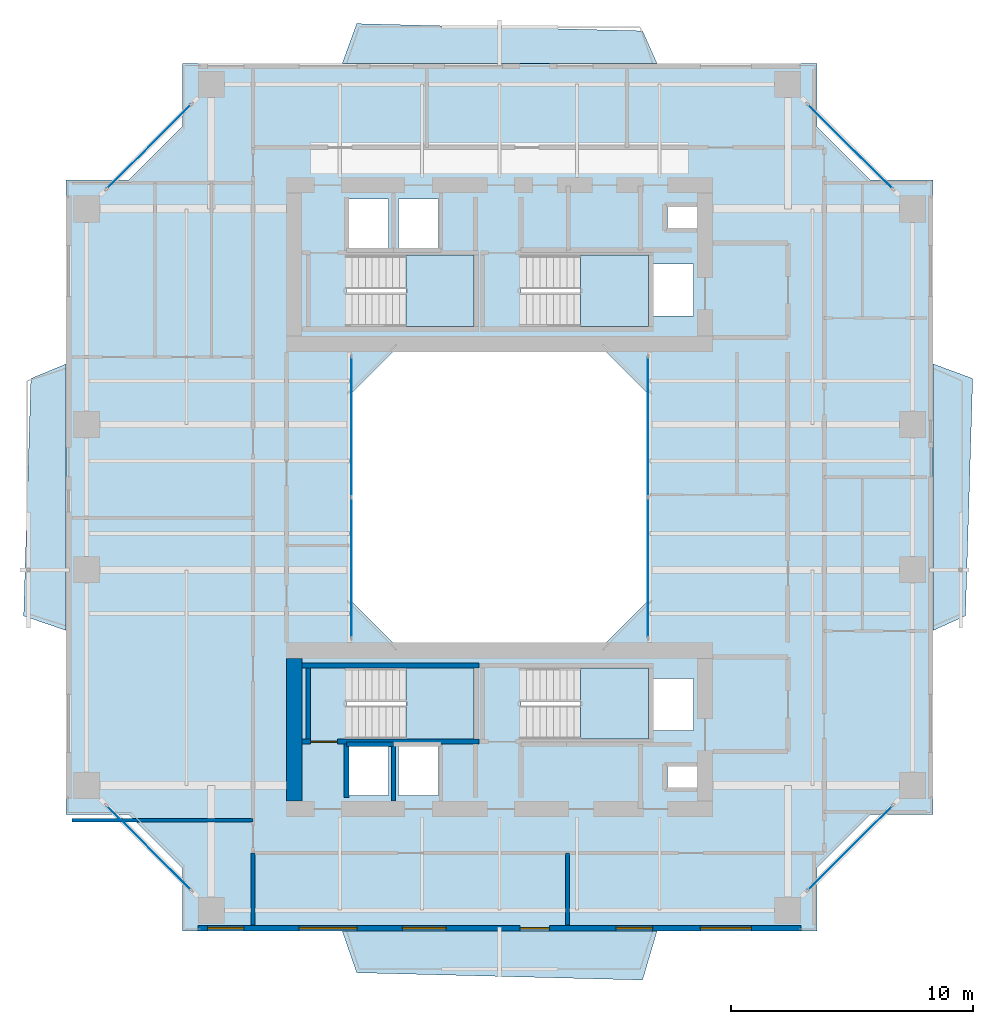
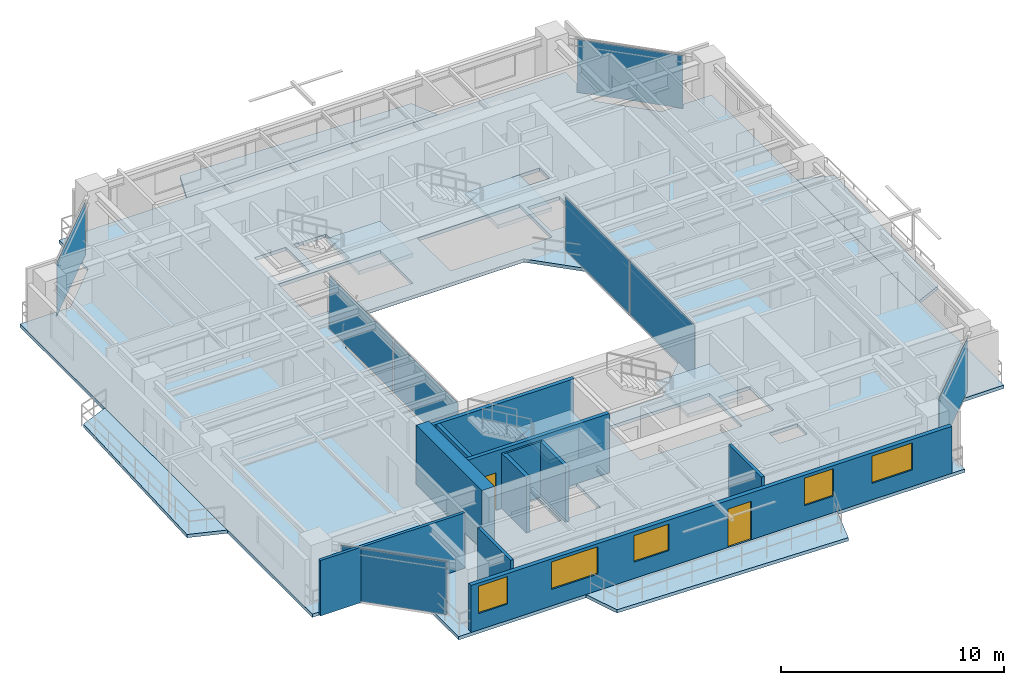
# One storey, part 9 of 16: 11 walls, 9 slabs, 8 plates, 5 windows, 2 doors, 7 openings, 10 elements without a shape of their own.
"""IFC4 building model written with IfcOpenShell, lengths in metres."""

from ifc_helpers import new_model, si_unit, direction, frame, frame_2d, origin, origin_2d, place, context, subcontext, project, spatial, polyline, rectangle, outline, extrude, source, transform, mapped, material, layer, layer_set, type_object, element, fill, aggregate, save


model = new_model("IFC4")

# Units and contexts
model_context = context("Model", 3, precision=1e-05, world=origin(), true_north=direction((0.0, 1.0)))
body_context = subcontext(model_context, "Body", "Model", "MODEL_VIEW")
ifc_project = project(units=[si_unit("LENGTHUNIT", "METRE"), si_unit("AREAUNIT", "SQUARE_METRE"), si_unit("VOLUMEUNIT", "CUBIC_METRE"), si_unit("PLANEANGLEUNIT", "RADIAN"), si_unit("MASSUNIT", "GRAM", prefix="KILO"), si_unit("THERMODYNAMICTEMPERATUREUNIT", "KELVIN"), si_unit("POWERUNIT", "WATT")], contexts=[model_context])

# Site, building, storey
site_placement = place(None, origin())
site = spatial("IfcSite", under=ifc_project, at=site_placement, CompositionType="ELEMENT")
building_placement = place(site_placement, origin())
building = spatial("IfcBuilding", under=site, at=building_placement, Name="Qiaomeng Ring Towers", CompositionType="ELEMENT")
storey_placement = place(building_placement, frame((0.0, 0.0, 136.0)))
storey = spatial("IfcBuildingStorey", under=building, at=storey_placement, Name="L39", CompositionType="ELEMENT", Elevation=136.0)

# Slabs
ifc_material_1 = material(Name="Concrete C40", Category="concrete")
ifc_layer_1 = layer(ifc_material_1, 0.179931640625, Name="Concrete C40")
ifc_layer_set_1 = layer_set([ifc_layer_1], Name="Concrete C40")
slab_type_1 = type_object("IfcSlabType", Name="STR-SL-180", PredefinedType="FLOOR", material=ifc_layer_set_1)
slab_1_placement = place(storey_placement, frame((0.0, 0.0, -0.179931640625)))
element("IfcSlab", 1, at=slab_1_placement, inside=storey, type_object=slab_type_1, Name="L39 Tower 1 Annular Floor Slab", PredefinedType="FLOOR", context=body_context, shape_type="SweptSolid", body=[
    extrude(outline(polyline([(5.89990234375, 5.10009765625), (32.10009765625, 5.10009765625), (32.10009765625, 7.699951171875), (34.300048828125, 9.89990234375), (36.89990234375, 9.89990234375), (36.89990234375, 36.10009765625), (34.300048828125, 36.10009765625), (32.10009765625, 38.300048828125), (32.10009765625, 40.89990234375), (5.89990234375, 40.89990234375), (5.89990234375, 38.300048828125), (3.699951171875, 36.10009765625), (1.10009765625, 36.10009765625), (1.10009765625, 9.89990234375), (3.699951171875, 9.89990234375), (5.89990234375, 7.699951171875), (5.89990234375, 5.10009765625)]), holes=[polyline([(12.780029296875, 10.679931640625), (12.780029296875, 12.820068359375), (14.419921875, 12.820068359375), (14.419921875, 10.679931640625), (12.780029296875, 10.679931640625)]), polyline([(14.830078125, 12.820068359375), (16.469970703125, 12.820068359375), (16.469970703125, 10.679931640625), (14.830078125, 10.679931640625), (14.830078125, 12.820068359375)]), polyline([(12.679931640625, 15.949951171875), (17.949951171875, 15.949951171875), (17.949951171875, 13.010009765625), (12.679931640625, 13.010009765625), (12.679931640625, 15.949951171875)]), polyline([(23.199951171875, 29.199951171875), (25.199951171875, 27.199951171875), (25.199951171875, 18.800048828125), (23.199951171875, 16.800048828125), (14.800048828125, 16.800048828125), (12.800048828125, 18.800048828125), (12.800048828125, 27.199951171875), (14.800048828125, 29.199951171875), (23.199951171875, 29.199951171875)]), polyline([(12.679931640625, 32.989990234375), (17.949951171875, 32.989990234375), (17.949951171875, 30.050048828125), (12.679931640625, 30.050048828125), (12.679931640625, 32.989990234375)]), polyline([(12.780029296875, 35.320068359375), (14.419921875, 35.320068359375), (14.419921875, 33.179931640625), (12.780029296875, 33.179931640625), (12.780029296875, 35.320068359375)]), polyline([(14.830078125, 33.179931640625), (14.830078125, 35.320068359375), (16.469970703125, 35.320068359375), (16.469970703125, 33.179931640625), (14.830078125, 33.179931640625)]), polyline([(25.919921875, 11.89990234375), (27.360107421875, 11.89990234375), (27.360107421875, 11.0), (25.919921875, 11.0), (25.919921875, 11.89990234375)]), polyline([(25.360107421875, 15.52001953125), (27.0, 15.52001953125), (27.0, 13.3798828125), (25.360107421875, 13.3798828125), (25.360107421875, 15.52001953125)]), polyline([(19.8798828125, 15.949951171875), (25.14990234375, 15.949951171875), (25.14990234375, 13.010009765625), (19.8798828125, 13.010009765625), (19.8798828125, 15.949951171875)]), polyline([(19.8798828125, 32.989990234375), (25.14990234375, 32.989990234375), (25.14990234375, 30.050048828125), (19.8798828125, 30.050048828125), (19.8798828125, 32.989990234375)]), polyline([(25.360107421875, 32.6201171875), (27.0, 32.6201171875), (27.0, 30.47998046875), (25.360107421875, 30.47998046875), (25.360107421875, 32.6201171875)]), polyline([(25.919921875, 35.0), (27.360107421875, 35.0), (27.360107421875, 34.10009765625), (25.919921875, 34.10009765625), (25.919921875, 35.0)])]), origin(), (0.0, 0.0, 1.0), 0.179931640625),
])
ifc_layer_2 = layer(ifc_material_1, 0.179931640625, Name="Concrete C40")
ifc_layer_set_2 = layer_set([ifc_layer_2], Name="Concrete C40")
slab_type_2 = type_object("IfcSlabType", Name="STR-SL-BAL", PredefinedType="FLOOR", material=ifc_layer_set_2)
slab_2_placement = place(storey_placement, frame((0.0, 0.0, -0.179931640625)))
element("IfcSlab", 2, at=slab_2_placement, inside=storey, type_object=slab_type_2, Name="L39 Tower 1 S Faceted Balcony Slab", PredefinedType="FLOOR", context=body_context, shape_type="SweptSolid", body=[
    extrude(outline(polyline([(24.89990234375, 3.070068359375), (13.10009765625, 3.3701171875), (12.5, 5.10009765625), (25.5, 5.10009765625), (24.89990234375, 3.070068359375)])), origin(), (0.0, 0.0, 1.0), 0.179931640625),
])
slab_3_placement = place(storey_placement, frame((0.0, 0.0, -0.179931640625)))
element("IfcSlab", 3, at=slab_3_placement, inside=storey, type_object=slab_type_2, Name="L39 Tower 1 E Faceted Balcony Slab", PredefinedType="FLOOR", context=body_context, shape_type="SweptSolid", body=[
    extrude(outline(polyline([(38.530029296875, 27.89990234375), (38.22998046875, 18.10009765625), (36.89990234375, 17.5), (36.89990234375, 28.5), (38.530029296875, 27.89990234375)])), origin(), (0.0, 0.0, 1.0), 0.179931640625),
])
slab_4_placement = place(storey_placement, frame((0.0, 0.0, -0.179931640625)))
element("IfcSlab", 4, at=slab_4_placement, inside=storey, type_object=slab_type_2, Name="L39 Tower 1 N Faceted Balcony Slab", PredefinedType="FLOOR", context=body_context, shape_type="SweptSolid", body=[
    extrude(outline(polyline([(12.5, 40.89990234375), (13.10009765625, 42.550048828125), (24.89990234375, 42.25), (25.5, 40.89990234375), (12.5, 40.89990234375)])), origin(), (0.0, 0.0, 1.0), 0.179931640625),
])
slab_5_placement = place(storey_placement, frame((0.0, 0.0, -0.179931640625)))
element("IfcSlab", 5, at=slab_5_placement, inside=storey, type_object=slab_type_2, Name="L39 Tower 1 W Faceted Balcony Slab", PredefinedType="FLOOR", context=body_context, shape_type="SweptSolid", body=[
    extrude(outline(polyline([(-0.64990234375, 18.10009765625), (-0.35009765625, 27.89990234375), (1.10009765625, 28.5), (1.10009765625, 17.5), (-0.64990234375, 18.10009765625)])), origin(), (0.0, 0.0, 1.0), 0.179931640625),
])

# Stair, slab
ifc_material_2 = material(Name="Precast concrete C40", Category="concrete")
stair_type = type_object("IfcStairType", Name="ARC-ST-325", PredefinedType="HALF_TURN_STAIR", material=ifc_material_2)
stair_1_placement = place(storey_placement, origin())
stair_1 = element("IfcStair", 6, at=stair_1_placement, inside=storey, type_object=stair_type, Name="L39 Tower 1 North Stair 1", PredefinedType="HALF_TURN_STAIR")
ifc_layer_3 = layer(ifc_material_1, 0.199951171875, Name="Concrete C40")
ifc_layer_set_3 = layer_set([ifc_layer_3], Name="Concrete C40")
slab_type_3 = type_object("IfcSlabType", Name="STR-SL-LANDING", PredefinedType="LANDING", material=ifc_layer_set_3)
slab_6_placement = place(storey_placement, frame((0.0, 0.0, 1.425048828125)))
slab_6 = element("IfcSlab", 7, at=slab_6_placement, type_object=slab_type_3, Name="ST1 landing 1", PredefinedType="LANDING", context=body_context, shape_type="SweptSolid", body=[
    extrude(outline(polyline([(15.139892578125, 30.050048828125), (17.949951171875, 30.050048828125), (17.949951171875, 32.989990234375), (15.139892578125, 32.989990234375), (15.139892578125, 30.050048828125)])), origin(), (0.0, 0.0, 1.0), 0.199951171875),
])
aggregate(stair_1, [slab_6])

stair_2_placement = place(storey_placement, origin())
stair_2 = element("IfcStair", 8, at=stair_2_placement, inside=storey, type_object=stair_type, Name="L39 Tower 1 North Stair 2", PredefinedType="HALF_TURN_STAIR")
slab_7_placement = place(storey_placement, frame((0.0, 0.0, 1.425048828125)))
slab_7 = element("IfcSlab", 9, at=slab_7_placement, type_object=slab_type_3, Name="ST2 landing 1", PredefinedType="LANDING", context=body_context, shape_type="SweptSolid", body=[
    extrude(outline(polyline([(22.340087890625, 30.050048828125), (25.14990234375, 30.050048828125), (25.14990234375, 32.989990234375), (22.340087890625, 32.989990234375), (22.340087890625, 30.050048828125)])), origin(), (0.0, 0.0, 1.0), 0.199951171875),
])
aggregate(stair_2, [slab_7])

stair_3_placement = place(storey_placement, origin())
stair_3 = element("IfcStair", 10, at=stair_3_placement, inside=storey, type_object=stair_type, Name="L39 Tower 1 South Stair 3", PredefinedType="HALF_TURN_STAIR")
slab_8_placement = place(storey_placement, frame((0.0, 0.0, 1.425048828125)))
slab_8 = element("IfcSlab", 11, at=slab_8_placement, type_object=slab_type_3, Name="ST3 landing 1", PredefinedType="LANDING", context=body_context, shape_type="SweptSolid", body=[
    extrude(outline(polyline([(15.139892578125, 13.010009765625), (17.949951171875, 13.010009765625), (17.949951171875, 15.949951171875), (15.139892578125, 15.949951171875), (15.139892578125, 13.010009765625)])), origin(), (0.0, 0.0, 1.0), 0.199951171875),
])
aggregate(stair_3, [slab_8])

stair_4_placement = place(storey_placement, origin())
stair_4 = element("IfcStair", 12, at=stair_4_placement, inside=storey, type_object=stair_type, Name="L39 Tower 1 South Stair 4", PredefinedType="HALF_TURN_STAIR")
slab_9_placement = place(storey_placement, frame((0.0, 0.0, 1.425048828125)))
slab_9 = element("IfcSlab", 13, at=slab_9_placement, type_object=slab_type_3, Name="ST4 landing 1", PredefinedType="LANDING", context=body_context, shape_type="SweptSolid", body=[
    extrude(outline(polyline([(22.340087890625, 13.010009765625), (25.14990234375, 13.010009765625), (25.14990234375, 15.949951171875), (22.340087890625, 15.949951171875), (22.340087890625, 13.010009765625)])), origin(), (0.0, 0.0, 1.0), 0.199951171875),
])
aggregate(stair_4, [slab_9])

# Curtain wall, plates
ifc_material_3 = material(Name="Fluorocarbon dark-grey aluminium", Category="aluminium")
ifc_layer_4 = layer(ifc_material_3, 0.139892578125, Name="Fluorocarbon dark-grey aluminium")
ifc_layer_set_4 = layer_set([ifc_layer_4], Name="Fluorocarbon dark-grey aluminium")
curtain_wall_type_1 = type_object("IfcCurtainWallType", Name="ARC-CW-4", PredefinedType="NOTDEFINED", material=ifc_layer_set_4)
curtain_wall_1_placement = place(storey_placement, origin())
curtain_wall_1 = element("IfcCurtainWall", 14, at=curtain_wall_1_placement, inside=storey, type_object=curtain_wall_type_1, Name="L39 Curtain Wall CW4", PredefinedType="NOTDEFINED")
ifc_material_4 = material(Name="Low-E dark-grey laminated double glazing", Category="glass")
ifc_layer_5 = layer(ifc_material_4, 0.028076171875, Name="Low-E dark-grey laminated double glazing")
ifc_layer_set_5 = layer_set([ifc_layer_5], Name="Low-E dark-grey laminated double glazing")
plate_type = type_object("IfcPlateType", Name="ARC-CWP-DARK", PredefinedType="CURTAIN_PANEL", material=ifc_layer_set_5)
shared_shape_1 = source(origin(), body_context, "Body", "SweptSolid", [
    extrude(rectangle(XDim=5.75244140625, YDim=0.028076171875, at=origin_2d()), origin(), (0.0, 0.0, 1.0), 2.89990234375),
])
plate_1_placement = place(storey_placement, frame((12.8798828125, 20.09130859375, 0.06494140625), z_axis=(0.0, 0.0, 1.0), x_axis=(0.0, 1.0, 0.0)))
plate_1 = element("IfcPlate", 15, at=plate_1_placement, type_object=plate_type, Name="CW4 panel 1.1", PredefinedType="CURTAIN_PANEL", context=body_context, shape_type="MappedRepresentation", body=[
    mapped(shared_shape_1, transform((0.0, 0.0, 0.0), x_axis=(1.0, 0.0, 0.0), y_axis=(0.0, 1.0, 0.0), z_axis=(0.0, 0.0, 1.0), scale=1.0)),
])
plate_2_placement = place(storey_placement, frame((12.8798828125, 25.90869140625, 0.06494140625), z_axis=(0.0, 0.0, 1.0), x_axis=(0.0, 1.0, 0.0)))
plate_2 = element("IfcPlate", 16, at=plate_2_placement, type_object=plate_type, Name="CW4 panel 2.1", PredefinedType="CURTAIN_PANEL", context=body_context, shape_type="MappedRepresentation", body=[
    mapped(shared_shape_1, transform((0.0, 0.0, 0.0), x_axis=(1.0, 0.0, 0.0), y_axis=(0.0, 1.0, 0.0), z_axis=(0.0, 0.0, 1.0), scale=1.0)),
])
aggregate(curtain_wall_1, [plate_1, plate_2])

curtain_wall_2_placement = place(storey_placement, origin())
curtain_wall_2 = element("IfcCurtainWall", 17, at=curtain_wall_2_placement, inside=storey, type_object=curtain_wall_type_1, Name="L39 Curtain Wall CW4", PredefinedType="NOTDEFINED")
plate_3_placement = place(storey_placement, frame((25.1201171875, 20.09130859375, 0.06494140625), z_axis=(0.0, 0.0, 1.0), x_axis=(0.0, 1.0, 0.0)))
plate_3 = element("IfcPlate", 18, at=plate_3_placement, type_object=plate_type, Name="CW4 panel 1.1", PredefinedType="CURTAIN_PANEL", context=body_context, shape_type="MappedRepresentation", body=[
    mapped(shared_shape_1, transform((0.0, 0.0, 0.0), x_axis=(1.0, 0.0, 0.0), y_axis=(0.0, 1.0, 0.0), z_axis=(0.0, 0.0, 1.0), scale=1.0)),
])
plate_4_placement = place(storey_placement, frame((25.1201171875, 25.90869140625, 0.06494140625), z_axis=(0.0, 0.0, 1.0), x_axis=(0.0, 1.0, 0.0)))
plate_4 = element("IfcPlate", 19, at=plate_4_placement, type_object=plate_type, Name="CW4 panel 2.1", PredefinedType="CURTAIN_PANEL", context=body_context, shape_type="MappedRepresentation", body=[
    mapped(shared_shape_1, transform((0.0, 0.0, 0.0), x_axis=(1.0, 0.0, 0.0), y_axis=(0.0, 1.0, 0.0), z_axis=(0.0, 0.0, 1.0), scale=1.0)),
])
aggregate(curtain_wall_2, [plate_3, plate_4])

# Curtain wall, plate
ifc_layer_6 = layer(ifc_material_3, 0.14990234375, Name="Fluorocarbon dark-grey aluminium")
ifc_layer_set_6 = layer_set([ifc_layer_6], Name="Fluorocarbon dark-grey aluminium")
curtain_wall_type_2 = type_object("IfcCurtainWallType", Name="ARC-CW-3", PredefinedType="NOTDEFINED", material=ifc_layer_set_6)
curtain_wall_3_placement = place(storey_placement, origin())
curtain_wall_3 = element("IfcCurtainWall", 20, at=curtain_wall_3_placement, inside=storey, type_object=curtain_wall_type_2, Name="L39 Curtain Wall CW3", PredefinedType="NOTDEFINED")
shared_shape_2 = source(origin(), body_context, "Body", "SweptSolid", [
    extrude(rectangle(XDim=4.90869140625, YDim=0.028076171875, at=origin_2d()), origin(), (0.0, 0.0, 1.0), 2.89990234375),
])
plate_5_placement = place(storey_placement, frame((33.47509765625, 8.52490234375, 0.06494140625), z_axis=(0.0, 0.0, 1.0), x_axis=(0.707106781187, 0.707106781187, 0.0)))
plate_5 = element("IfcPlate", 21, at=plate_5_placement, type_object=plate_type, Name="CW3 panel 1.1", PredefinedType="CURTAIN_PANEL", context=body_context, shape_type="MappedRepresentation", body=[
    mapped(shared_shape_2, transform((0.0, 0.0, 0.0), x_axis=(1.0, 0.0, 0.0), y_axis=(0.0, 1.0, 0.0), z_axis=(0.0, 0.0, 1.0), scale=1.0)),
])
aggregate(curtain_wall_3, [plate_5])

curtain_wall_4_placement = place(storey_placement, origin())
curtain_wall_4 = element("IfcCurtainWall", 22, at=curtain_wall_4_placement, inside=storey, type_object=curtain_wall_type_2, Name="L39 Curtain Wall CW3", PredefinedType="NOTDEFINED")
plate_6_placement = place(storey_placement, frame((33.47509765625, 37.47509765625, 0.06494140625), z_axis=(0.0, 0.0, 1.0), x_axis=(-0.707106781187, 0.707106781187, 0.0)))
plate_6 = element("IfcPlate", 23, at=plate_6_placement, type_object=plate_type, Name="CW3 panel 1.1", PredefinedType="CURTAIN_PANEL", context=body_context, shape_type="MappedRepresentation", body=[
    mapped(shared_shape_2, transform((0.0, 0.0, 0.0), x_axis=(1.0, 0.0, 0.0), y_axis=(0.0, 1.0, 0.0), z_axis=(0.0, 0.0, 1.0), scale=1.0)),
])
aggregate(curtain_wall_4, [plate_6])

curtain_wall_5_placement = place(storey_placement, origin())
curtain_wall_5 = element("IfcCurtainWall", 24, at=curtain_wall_5_placement, inside=storey, type_object=curtain_wall_type_2, Name="L39 Curtain Wall CW3", PredefinedType="NOTDEFINED")
plate_7_placement = place(storey_placement, frame((4.52490234375, 37.47509765625, 0.06494140625), z_axis=(0.0, 0.0, 1.0), x_axis=(-0.707106781187, -0.707106781187, 0.0)))
plate_7 = element("IfcPlate", 25, at=plate_7_placement, type_object=plate_type, Name="CW3 panel 1.1", PredefinedType="CURTAIN_PANEL", context=body_context, shape_type="MappedRepresentation", body=[
    mapped(shared_shape_2, transform((0.0, 0.0, 0.0), x_axis=(1.0, 0.0, 0.0), y_axis=(0.0, 1.0, 0.0), z_axis=(0.0, 0.0, 1.0), scale=1.0)),
])
aggregate(curtain_wall_5, [plate_7])

curtain_wall_6_placement = place(storey_placement, origin())
curtain_wall_6 = element("IfcCurtainWall", 26, at=curtain_wall_6_placement, inside=storey, type_object=curtain_wall_type_2, Name="L39 Curtain Wall CW3", PredefinedType="NOTDEFINED")
plate_8_placement = place(storey_placement, frame((4.52490234375, 8.52490234375, 0.06494140625), z_axis=(0.0, 0.0, 1.0), x_axis=(0.707106781187, -0.707106781187, 0.0)))
plate_8 = element("IfcPlate", 27, at=plate_8_placement, type_object=plate_type, Name="CW3 panel 1.1", PredefinedType="CURTAIN_PANEL", context=body_context, shape_type="MappedRepresentation", body=[
    mapped(shared_shape_2, transform((0.0, 0.0, 0.0), x_axis=(1.0, 0.0, 0.0), y_axis=(0.0, 1.0, 0.0), z_axis=(0.0, 0.0, 1.0), scale=1.0)),
])
aggregate(curtain_wall_6, [plate_8])

# Wall, openings, windows, door
ifc_layer_7 = layer(ifc_material_2, 0.219970703125, Name="Precast concrete C40")
ifc_layer_set_7 = layer_set([ifc_layer_7], Name="Precast concrete C40")
wall_type_1 = type_object("IfcWallType", Name="ARC-WL-EW2", PredefinedType="STANDARD", material=ifc_layer_set_7)
wall_1_placement = place(storey_placement, frame((6.550048828125, 5.2099609375, 0.0), z_axis=(0.0, 0.0, 1.0), x_axis=(1.0, 0.0, 0.0)))
wall_1 = element("IfcWall", 28, at=wall_1_placement, inside=storey, type_object=wall_type_1, Name="L39 Tower 1 S Exterior Wall", PredefinedType="STANDARD", context=body_context, shape_type="SweptSolid", body=[
    extrude(rectangle(XDim=24.89990234375, YDim=0.219970703125, at=frame_2d((12.449951171875, 0.0))), origin(), (0.0, 0.0, 1.0), 2.570068359375),
])
opening_1_placement = place(wall_1_placement, frame((13.300048828125, 0.0, 0.0)))
opening_1 = element("IfcOpeningElement", 29, at=opening_1_placement, cuts=wall_1, Name="Opening BD1", PredefinedType="OPENING", context=body_context, shape_type="SweptSolid", body=[
    extrude(rectangle(XDim=1.199951171875, YDim=2.10009765625, at=frame_2d((0.60009765625, 1.050048828125))), frame((0.0, 0.119873046875, 0.0), z_axis=(0.0, -1.0, 0.0), x_axis=(1.0, 0.0, 0.0)), (0.0, 0.0, 1.0), 0.239990234375),
])
opening_2_placement = place(wall_1_placement, frame((0.392578125, 0.0, 0.89990234375)))
opening_2 = element("IfcOpeningElement", 30, at=opening_2_placement, cuts=wall_1, Name="Opening WN2", PredefinedType="OPENING", context=body_context, shape_type="SweptSolid", body=[
    extrude(rectangle(XDim=1.5, YDim=1.5, at=frame_2d((0.75, 0.75))), frame((0.0, 0.119873046875, 0.0), z_axis=(0.0, -1.0, 0.0), x_axis=(1.0, 0.0, 0.0)), (0.0, 0.0, 1.0), 0.239990234375),
])
opening_3_placement = place(wall_1_placement, frame((8.43798828125, 0.0, 0.89990234375)))
opening_3 = element("IfcOpeningElement", 31, at=opening_3_placement, cuts=wall_1, Name="Opening WN1", PredefinedType="OPENING", context=body_context, shape_type="SweptSolid", body=[
    extrude(rectangle(XDim=1.800048828125, YDim=1.449951171875, at=frame_2d((0.89990234375, 0.72509765625))), frame((0.0, 0.119873046875, 0.0), z_axis=(0.0, -1.0, 0.0), x_axis=(1.0, 0.0, 0.0)), (0.0, 0.0, 1.0), 0.239990234375),
])
opening_4_placement = place(wall_1_placement, frame((17.261474609375, 0.0, 0.89990234375)))
opening_4 = element("IfcOpeningElement", 32, at=opening_4_placement, cuts=wall_1, Name="Opening WN2", PredefinedType="OPENING", context=body_context, shape_type="SweptSolid", body=[
    extrude(rectangle(XDim=1.5, YDim=1.5, at=frame_2d((0.75, 0.75))), frame((0.0, 0.119873046875, 0.0), z_axis=(0.0, -1.0, 0.0), x_axis=(1.0, 0.0, 0.0)), (0.0, 0.0, 1.0), 0.239990234375),
])
opening_5_placement = place(wall_1_placement, frame((20.738037109375, 0.0, 0.89990234375)))
opening_5 = element("IfcOpeningElement", 33, at=opening_5_placement, cuts=wall_1, Name="Opening WN4", PredefinedType="OPENING", context=body_context, shape_type="SweptSolid", body=[
    extrude(rectangle(XDim=2.10009765625, YDim=1.47998046875, at=frame_2d((1.050048828125, 0.739990234375))), frame((0.0, 0.119873046875, 0.0), z_axis=(0.0, -1.0, 0.0), x_axis=(1.0, 0.0, 0.0)), (0.0, 0.0, 1.0), 0.239990234375),
])
opening_6_placement = place(wall_1_placement, frame((4.17138671875, 0.0, 0.89990234375)))
opening_6 = element("IfcOpeningElement", 34, at=opening_6_placement, cuts=wall_1, Name="Opening WN6", PredefinedType="OPENING", context=body_context, shape_type="SweptSolid", body=[
    extrude(rectangle(XDim=2.39990234375, YDim=1.5, at=frame_2d((1.199951171875, 0.75))), frame((0.0, 0.119873046875, 0.0), z_axis=(0.0, -1.0, 0.0), x_axis=(1.0, 0.0, 0.0)), (0.0, 0.0, 1.0), 0.239990234375),
])
window_type_1 = type_object("IfcWindowType", Name="ARC-WN-4", PartitioningType="TRIPLE_PANEL_VERTICAL", PredefinedType="WINDOW", material=ifc_material_4)
shared_shape_3 = source(origin(), body_context, "Body", "SweptSolid", [
    extrude(rectangle(XDim=2.10009765625, YDim=1.47998046875, at=frame_2d((1.050048828125, 0.739990234375))), frame((0.0, 0.030029296875, 0.0), z_axis=(0.0, -1.0, 0.0), x_axis=(1.0, 0.0, 0.0)), (0.0, 0.0, 1.0), 0.06005859375),
])
window_1_placement = place(opening_5_placement, origin())
window_1 = element("IfcWindow", 35, at=window_1_placement, inside=storey, type_object=window_type_1, Name="L39 Exterior Window WN4", OverallHeight=1.47998046875, OverallWidth=2.10009765625, PartitioningType="TRIPLE_PANEL_VERTICAL", PredefinedType="WINDOW", context=body_context, shape_type="MappedRepresentation", body=[
    mapped(shared_shape_3, transform((0.0, 0.0, 0.0), x_axis=(1.0, 0.0, 0.0), y_axis=(0.0, 1.0, 0.0), z_axis=(0.0, 0.0, 1.0), scale=1.0)),
])
fill(opening_5, window_1)
window_type_2 = type_object("IfcWindowType", Name="ARC-WN-1", PartitioningType="DOUBLE_PANEL_VERTICAL", PredefinedType="WINDOW", material=ifc_material_4)
shared_shape_4 = source(origin(), body_context, "Body", "SweptSolid", [
    extrude(rectangle(XDim=1.800048828125, YDim=1.449951171875, at=frame_2d((0.89990234375, 0.72509765625))), frame((0.0, 0.030029296875, 0.0), z_axis=(0.0, -1.0, 0.0), x_axis=(1.0, 0.0, 0.0)), (0.0, 0.0, 1.0), 0.06005859375),
])
window_2_placement = place(opening_3_placement, origin())
window_2 = element("IfcWindow", 36, at=window_2_placement, inside=storey, type_object=window_type_2, Name="L39 Exterior Window WN1", OverallHeight=1.449951171875, OverallWidth=1.800048828125, PartitioningType="DOUBLE_PANEL_VERTICAL", PredefinedType="WINDOW", context=body_context, shape_type="MappedRepresentation", body=[
    mapped(shared_shape_4, transform((0.0, 0.0, 0.0), x_axis=(1.0, 0.0, 0.0), y_axis=(0.0, 1.0, 0.0), z_axis=(0.0, 0.0, 1.0), scale=1.0)),
])
fill(opening_3, window_2)
door_type_1 = type_object("IfcDoorType", Name="ARC-DR-BD1", OperationType="NOTDEFINED", PredefinedType="DOOR", material=ifc_material_4)
shared_shape_5 = source(origin(), body_context, "Body", "SweptSolid", [
    extrude(rectangle(XDim=1.199951171875, YDim=2.10009765625, at=frame_2d((0.60009765625, 1.050048828125))), frame((0.0, 0.02490234375, 0.0), z_axis=(0.0, -1.0, 0.0), x_axis=(1.0, 0.0, 0.0)), (0.0, 0.0, 1.0), 0.050048828125),
])
door_1_placement = place(opening_1_placement, frame((1.199951171875, 0.0, 0.0), z_axis=(0.0, 0.0, 1.0), x_axis=(-1.0, 0.0, 0.0)))
door_1 = element("IfcDoor", 37, at=door_1_placement, inside=storey, type_object=door_type_1, Name="L39 S Balcony Glazed Door", OperationType="SINGLE_SWING_LEFT", OverallHeight=2.10009765625, OverallWidth=1.199951171875, PredefinedType="DOOR", context=body_context, shape_type="MappedRepresentation", body=[
    mapped(shared_shape_5, transform((0.0, 0.0, 0.0), x_axis=(1.0, 0.0, 0.0), y_axis=(0.0, 1.0, 0.0), z_axis=(0.0, 0.0, 1.0), scale=1.0)),
])
fill(opening_1, door_1)
window_type_3 = type_object("IfcWindowType", Name="ARC-WN-2", PartitioningType="DOUBLE_PANEL_VERTICAL", PredefinedType="WINDOW", material=ifc_material_4)
shared_shape_6 = source(origin(), body_context, "Body", "SweptSolid", [
    extrude(rectangle(XDim=1.5, YDim=1.5, at=frame_2d((0.75, 0.75))), frame((0.0, 0.030029296875, 0.0), z_axis=(0.0, -1.0, 0.0), x_axis=(1.0, 0.0, 0.0)), (0.0, 0.0, 1.0), 0.06005859375),
])
window_3_placement = place(opening_2_placement, origin())
window_3 = element("IfcWindow", 38, at=window_3_placement, inside=storey, type_object=window_type_3, Name="L39 Exterior Window WN6", OverallHeight=1.5, OverallWidth=1.5, PartitioningType="TRIPLE_PANEL_VERTICAL", PredefinedType="WINDOW", context=body_context, shape_type="MappedRepresentation", body=[
    mapped(shared_shape_6, transform((0.0, 0.0, 0.0), x_axis=(1.0, 0.0, 0.0), y_axis=(0.0, 1.0, 0.0), z_axis=(0.0, 0.0, 1.0), scale=1.0)),
])
fill(opening_2, window_3)
window_4_placement = place(opening_4_placement, origin())
window_4 = element("IfcWindow", 39, at=window_4_placement, inside=storey, type_object=window_type_3, Name="L39 Exterior Window WN2", OverallHeight=1.5, OverallWidth=1.5, PartitioningType="DOUBLE_PANEL_VERTICAL", PredefinedType="WINDOW", context=body_context, shape_type="MappedRepresentation", body=[
    mapped(shared_shape_6, transform((0.0, 0.0, 0.0), x_axis=(1.0, 0.0, 0.0), y_axis=(0.0, 1.0, 0.0), z_axis=(0.0, 0.0, 1.0), scale=1.0)),
])
fill(opening_4, window_4)
window_type_4 = type_object("IfcWindowType", Name="ARC-WN-6", PartitioningType="TRIPLE_PANEL_VERTICAL", PredefinedType="WINDOW", material=ifc_material_4)
shared_shape_7 = source(origin(), body_context, "Body", "SweptSolid", [
    extrude(rectangle(XDim=2.39990234375, YDim=1.5, at=frame_2d((1.199951171875, 0.75))), frame((0.0, 0.030029296875, 0.0), z_axis=(0.0, -1.0, 0.0), x_axis=(1.0, 0.0, 0.0)), (0.0, 0.0, 1.0), 0.06005859375),
])
window_5_placement = place(opening_6_placement, origin())
window_5 = element("IfcWindow", 40, at=window_5_placement, inside=storey, type_object=window_type_4, Name="L39 Exterior Window WN6", OverallHeight=1.5, OverallWidth=2.39990234375, PartitioningType="TRIPLE_PANEL_VERTICAL", PredefinedType="WINDOW", context=body_context, shape_type="MappedRepresentation", body=[
    mapped(shared_shape_7, transform((0.0, 0.0, 0.0), x_axis=(1.0, 0.0, 0.0), y_axis=(0.0, 1.0, 0.0), z_axis=(0.0, 0.0, 1.0), scale=1.0)),
])
fill(opening_6, window_5)

# Walls
ifc_material_5 = material(Name="Autoclaved aerated concrete block", Category="concrete")
ifc_layer_8 = layer(ifc_material_5, 0.199951171875, Name="Autoclaved aerated concrete block")
ifc_layer_set_8 = layer_set([ifc_layer_8], Name="Autoclaved aerated concrete block")
wall_type_2 = type_object("IfcWallType", Name="ARC-WL-PW1", PredefinedType="PARTITIONING", material=ifc_layer_set_8)
wall_2_placement = place(storey_placement, frame((12.679931640625, 10.60009765625, 0.0), z_axis=(0.0, 0.0, 1.0), x_axis=(0.0, 1.0, 0.0)))
element("IfcWall", 41, at=wall_2_placement, inside=storey, type_object=wall_type_2, Name="L39 Interior Wall PW1", PredefinedType="PARTITIONING", context=body_context, shape_type="SweptSolid", body=[
    extrude(rectangle(XDim=2.2099609375, YDim=0.199951171875, at=frame_2d((1.10498046875, 0.0))), origin(), (0.0, 0.0, 1.0), 3.030029296875),
])
ifc_material_6 = material(Name="Gypsum fireboard steel-stud partition", Category="steel")
ifc_layer_9 = layer(ifc_material_6, 0.14990234375, Name="Gypsum fireboard steel-stud partition")
ifc_layer_set_9 = layer_set([ifc_layer_9], Name="Gypsum fireboard steel-stud partition")
wall_type_3 = type_object("IfcWallType", Name="ARC-WL-PW3", PredefinedType="PARTITIONING", material=ifc_layer_set_9)
for number, where, z_axis, x_axis, name in (
    (42, (21.800048828125, 5.35009765625, 0.0), (0.0, 0.0, 1.0), (0.0, 1.0, 0.0), "L39 Interior Wall PW3"),
    (43, (8.820068359375, 5.35009765625, 0.0), (0.0, 0.0, 1.0), (0.0, 1.0, 0.0), "L39 Interior Wall PW3"),
):
    element("IfcWall", number, at=place(storey_placement, frame(where, z_axis=z_axis, x_axis=x_axis)), inside=storey, type_object=wall_type_3, Name=name, PredefinedType="PARTITIONING", context=body_context, shape_type="SweptSolid", body=[
        extrude(rectangle(XDim=2.9599609375, YDim=0.14990234375, at=frame_2d((1.47998046875, 0.0))), origin(), (0.0, 0.0, 1.0), 3.030029296875),
    ])
wall_3_placement = place(storey_placement, frame((1.35009765625, 9.669921875, 0.0), z_axis=(0.0, 0.0, 1.0), x_axis=(1.0, 0.0, 0.0)))
element("IfcWall", 44, at=wall_3_placement, inside=storey, type_object=wall_type_3, Name="L39 Interior Wall PW3", PredefinedType="PARTITIONING", context=body_context, shape_type="SweptSolid", body=[
    extrude(rectangle(XDim=7.469970703125, YDim=0.14990234375, at=frame_2d((3.73486328125, 0.0))), origin(), (0.0, 0.0, 1.0), 3.030029296875),
])
ifc_layer_10 = layer(ifc_material_1, 0.199951171875, Name="Concrete C40")
ifc_layer_set_10 = layer_set([ifc_layer_10], Name="Concrete C40")
wall_type_4 = type_object("IfcWallType", Name="STR-WL-STSHAFT", PredefinedType="SHEAR", material=ifc_layer_set_10)
wall_4_placement = place(storey_placement, frame((12.679931640625, 12.800048828125, 0.0), z_axis=(0.0, 0.0, 1.0), x_axis=(1.0, 0.0, 0.0)))
element("IfcWall", 45, at=wall_4_placement, inside=storey, type_object=wall_type_4, Name="L39 Lift LP6 Shaft Back Wall", PredefinedType="SHEAR", context=body_context, shape_type="SweptSolid", body=[
    extrude(rectangle(XDim=1.940185546875, YDim=0.179931640625, at=frame_2d((0.97021484375, 0.0))), origin(), (0.0, 0.0, 1.0), 3.030029296875),
])
wall_5_placement = place(storey_placement, frame((14.6201171875, 10.449951171875, 0.0), z_axis=(0.0, 0.0, 1.0), x_axis=(0.0, 1.0, 0.0)))
element("IfcWall", 46, at=wall_5_placement, inside=storey, type_object=wall_type_4, Name="L39 Lift LP6-LP4 Shaft Divider Wall", PredefinedType="SHEAR", context=body_context, shape_type="SweptSolid", body=[
    extrude(rectangle(XDim=2.35009765625, YDim=0.179931640625, at=frame_2d((1.175048828125, 0.0))), origin(), (0.0, 0.0, 1.0), 3.030029296875),
])

# Wall, opening, door
wall_6_placement = place(storey_placement, frame((10.85009765625, 12.909912109375, 0.0), z_axis=(0.0, 0.0, 1.0), x_axis=(1.0, 0.0, 0.0)))
wall_6 = element("IfcWall", 47, at=wall_6_placement, inside=storey, type_object=wall_type_4, Name="L39 Stair ST3 South Shaft Shear Wall", PredefinedType="SHEAR", context=body_context, shape_type="SweptSolid", body=[
    extrude(rectangle(XDim=7.2998046875, YDim=0.199951171875, at=frame_2d((3.64990234375, 0.0))), origin(), (0.0, 0.0, 1.0), 3.25),
])
opening_7_placement = place(wall_6_placement, frame((0.35009765625, 0.0, 0.0)))
opening_7 = element("IfcOpeningElement", 48, at=opening_7_placement, cuts=wall_6, Name="Opening FD3", PredefinedType="OPENING", context=body_context, shape_type="SweptSolid", body=[
    extrude(rectangle(XDim=1.10009765625, YDim=2.050048828125, at=frame_2d((0.550048828125, 1.02490234375))), frame((0.0, 0.10986328125, 0.0), z_axis=(0.0, -1.0, 0.0), x_axis=(1.0, 0.0, 0.0)), (0.0, 0.0, 1.0), 0.219970703125),
])
ifc_material_7 = material(Name="Galvanised steel", Category="steel")
door_type_2 = type_object("IfcDoorType", Name="ARC-DR-FD3", OperationType="NOTDEFINED", PredefinedType="DOOR", material=ifc_material_7)
shared_shape_8 = source(origin(), body_context, "Body", "SweptSolid", [
    extrude(rectangle(XDim=1.10009765625, YDim=2.050048828125, at=frame_2d((0.550048828125, 1.02490234375))), frame((0.0, 0.02490234375, 0.0), z_axis=(0.0, -1.0, 0.0), x_axis=(1.0, 0.0, 0.0)), (0.0, 0.0, 1.0), 0.050048828125),
])
door_2_placement = place(opening_7_placement, frame((1.10009765625, 0.0, 0.0), z_axis=(0.0, 0.0, 1.0), x_axis=(-1.0, 0.0, 0.0)))
door_2 = element("IfcDoor", 49, at=door_2_placement, inside=storey, type_object=door_type_2, Name="L39 Stair ST3 Exit Door", OperationType="SINGLE_SWING_LEFT", OverallHeight=2.050048828125, OverallWidth=1.10009765625, PredefinedType="DOOR", context=body_context, shape_type="MappedRepresentation", body=[
    mapped(shared_shape_8, transform((0.0, 0.0, 0.0), x_axis=(1.0, 0.0, 0.0), y_axis=(0.0, 1.0, 0.0), z_axis=(0.0, 0.0, 1.0), scale=1.0)),
])
fill(opening_7, door_2)

# Walls
wall_7_placement = place(storey_placement, frame((10.85009765625, 16.050048828125, 0.0), z_axis=(0.0, 0.0, 1.0), x_axis=(1.0, 0.0, 0.0)))
element("IfcWall", 50, at=wall_7_placement, inside=storey, type_object=wall_type_4, Name="L39 Stair ST3 North Shaft Shear Wall", PredefinedType="SHEAR", context=body_context, shape_type="SweptSolid", body=[
    extrude(rectangle(XDim=7.2998046875, YDim=0.199951171875, at=frame_2d((3.64990234375, 0.0))), origin(), (0.0, 0.0, 1.0), 3.25),
])
wall_8_placement = place(storey_placement, frame((11.10009765625, 13.010009765625, 0.0), z_axis=(0.0, 0.0, 1.0), x_axis=(0.0, 1.0, 0.0)))
element("IfcWall", 51, at=wall_8_placement, inside=storey, type_object=wall_type_4, Name="L39 Stair ST3 West Shaft Shear Wall", PredefinedType="SHEAR", context=body_context, shape_type="SweptSolid", body=[
    extrude(rectangle(XDim=2.93994140625, YDim=0.199951171875, at=frame_2d((1.469970703125, 0.0))), origin(), (0.0, 0.0, 1.0), 3.25),
])
ifc_material_8 = material(Name="Concrete C55", Category="concrete")
ifc_layer_11 = layer(ifc_material_8, 0.64990234375, Name="Concrete C55")
ifc_layer_set_11 = layer_set([ifc_layer_11], Name="Concrete C55")
wall_type_5 = type_object("IfcWallType", Name="STR-WL-SW2A", PredefinedType="SHEAR", material=ifc_layer_set_11)
wall_9_placement = place(storey_placement, frame((10.52490234375, 10.449951171875, 0.0), z_axis=(0.0, 0.0, 1.0), x_axis=(0.0, 1.0, 0.0)))
element("IfcWall", 52, at=wall_9_placement, inside=storey, type_object=wall_type_5, Name="L39 T1SC west core shear wall", PredefinedType="SHEAR", context=body_context, shape_type="SweptSolid", body=[
    extrude(rectangle(XDim=5.900146484375, YDim=0.64990234375, at=frame_2d((2.9501953125, 0.0))), origin(), (0.0, 0.0, 1.0), 3.25),
])

save(model, "model.ifc")
